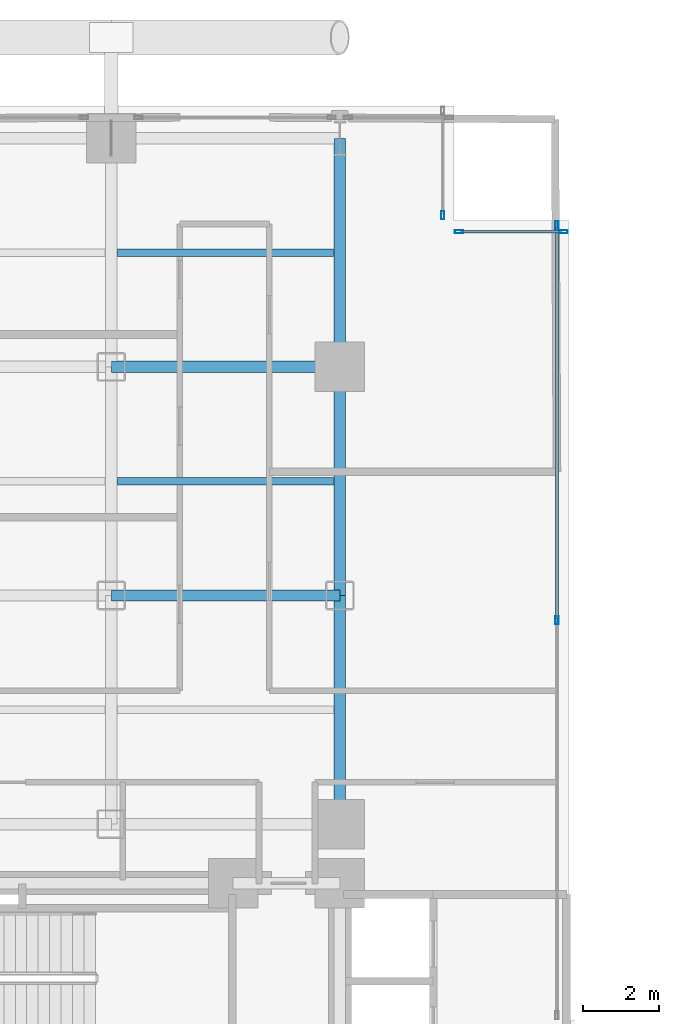
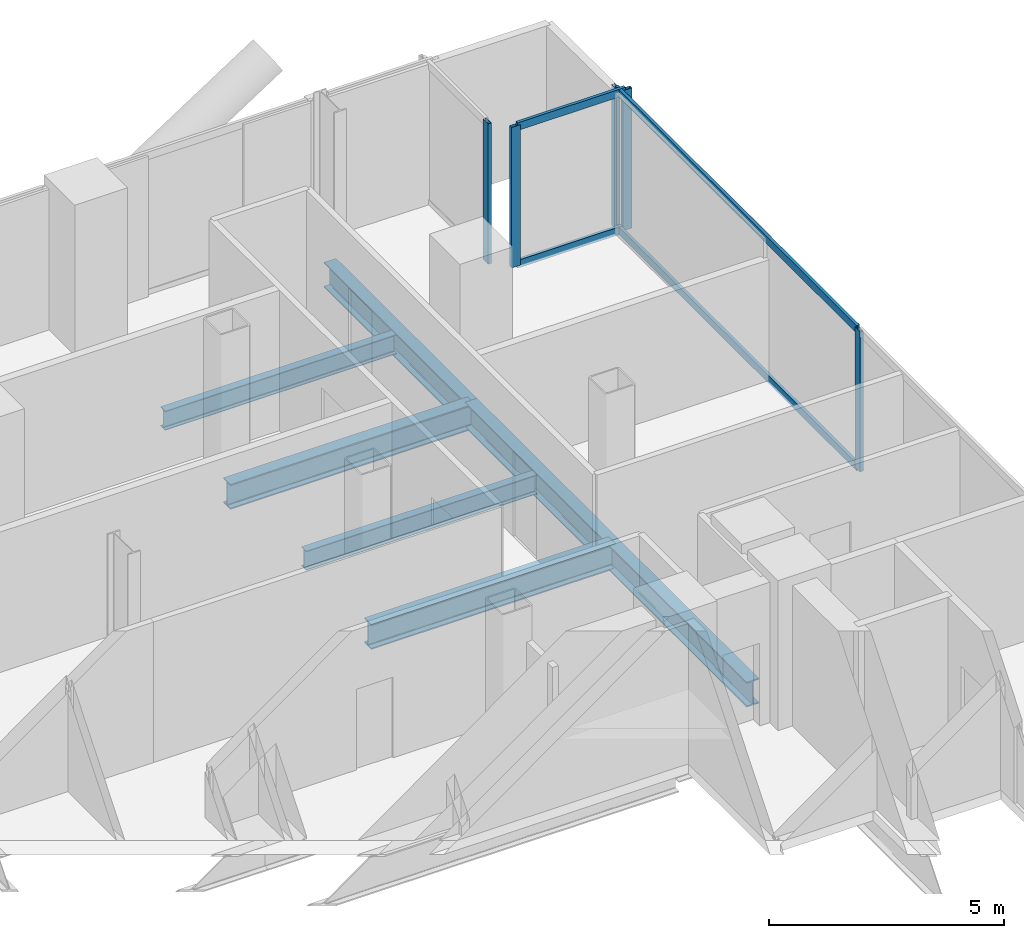
# One storey, part 15 of 27: 9 members, 7 beams, 3 elements without a shape of their own.
"""IFC4 building model written with IfcOpenShell, lengths in metres."""

from ifc_helpers import new_model, si_unit, direction, frame, origin, origin_2d, place, context, subcontext, project, spatial, hollow_rectangle, i_section, extrude, material, layer, layer_set, material_profile, profile_set, type_object, element, aggregate, save


model = new_model("IFC4")

# Units and contexts
model_context = context("Model", 3, precision=1e-05, world=origin(), true_north=direction((0.0, 1.0)))
body_context = subcontext(model_context, "Body", "Model", "MODEL_VIEW")
ifc_project = project(units=[si_unit("LENGTHUNIT", "METRE"), si_unit("AREAUNIT", "SQUARE_METRE"), si_unit("VOLUMEUNIT", "CUBIC_METRE"), si_unit("PLANEANGLEUNIT", "RADIAN"), si_unit("MASSUNIT", "GRAM", prefix="KILO"), si_unit("THERMODYNAMICTEMPERATUREUNIT", "KELVIN"), si_unit("POWERUNIT", "WATT")], contexts=[model_context])

# Site, building, storey
site_placement = place(None, origin())
site = spatial("IfcSite", under=ifc_project, at=site_placement, CompositionType="ELEMENT")
building_placement = place(site_placement, origin())
building = spatial("IfcBuilding", under=site, at=building_placement, Name="Svarakhadi Broadcast Tower", CompositionType="ELEMENT")
storey_placement = place(building_placement, frame((0.0, 0.0, 75.300048828125)))
storey = spatial("IfcBuildingStorey", under=building, at=storey_placement, Name="L17", CompositionType="ELEMENT", Elevation=75.300048828125)

# Beams
ifc_material_1 = material(Name="Steel S355J2 (IS 2062 E350C)", Category="steel")
ifc_material_profile_1 = material_profile(ifc_material_1, i_section(OverallWidth=0.199951171875, OverallDepth=0.5, WebThickness=0.01025390625, FlangeThickness=0.01611328125, FilletRadius=0.02099609375, at=origin_2d()), Name="NPB 500x200x91")
ifc_profile_set_1 = profile_set([ifc_material_profile_1], Name="Steel S355J2 (IS 2062 E350C)")
beam_type_1 = type_object("IfcBeamType", Name="Beam_NPB500", PredefinedType="BEAM", material=ifc_profile_set_1)
for number, where, z_axis, x_axis, name in (
    (1, (12.159912109375, 38.14990234375, -0.5), (1.0, 0.0, 0.0), (0.0, 1.0, 0.0), "L17 Secondary Composite Beam SB017"),
    (2, (12.159912109375, 44.14990234375, -0.5), (1.0, 0.0, 0.0), (0.0, 1.0, 0.0), "L17 Secondary Composite Beam SB018"),
):
    element("IfcBeam", number, at=place(storey_placement, frame(where, z_axis=z_axis, x_axis=x_axis)), inside=storey, type_object=beam_type_1, Name=name, PredefinedType="BEAM", context=body_context, shape_type="SweptSolid", body=[
        extrude(i_section(OverallWidth=0.199951171875, OverallDepth=0.5, WebThickness=0.01025390625, FlangeThickness=0.01611328125, FilletRadius=0.02099609375, at=origin_2d()), origin(), (0.0, 0.0, 1.0), 5.68017578125),
    ])

# Curtain wall, member
ifc_material_2 = material(Name="Anodised Bronze Aluminium AA 6063-T6", Category="aluminium")
ifc_layer = layer(ifc_material_2, 0.219970703125)
ifc_layer_set = layer_set([ifc_layer], Name="Anodised Bronze Aluminium AA 6063-T6")
curtain_wall_type = type_object("IfcCurtainWallType", Name="CW_Sys_02", PredefinedType="NOTDEFINED", material=ifc_layer_set)
curtain_wall_1_placement = place(storey_placement, origin())
curtain_wall_1 = element("IfcCurtainWall", 3, at=curtain_wall_1_placement, inside=storey, type_object=curtain_wall_type, Name="L17 Unitised Facade Curtain Wall 07", PredefinedType="NOTDEFINED")
ifc_material_profile_2 = material_profile(ifc_material_2, hollow_rectangle(XDim=0.0849609375, YDim=0.219970703125, WallThickness=0.006103515625, at=origin_2d()), Name="ALU MULLION 220x85x6")
ifc_profile_set_2 = profile_set([ifc_material_profile_2], Name="Anodised Bronze Aluminium AA 6063-T6")
member_type_1 = type_object("IfcMemberType", Name="CW_Sys_02_Mul", PredefinedType="MULLION", material=ifc_profile_set_2)
member_1_placement = place(storey_placement, frame((20.699951171875, 45.132568359375, 0.0), z_axis=(0.0, 0.0, 1.0), x_axis=(1.0, 0.0, 0.0)))
member_1 = element("IfcMember", 4, at=member_1_placement, type_object=member_type_1, Name="CW-02 mullion 2", PredefinedType="MULLION", context=body_context, shape_type="SweptSolid", body=[
    extrude(hollow_rectangle(XDim=0.0849609375, YDim=0.219970703125, WallThickness=0.006103515625, at=origin_2d()), origin(), (0.0, 0.0, 1.0), 3.64990234375),
])
aggregate(curtain_wall_1, [member_1])

# Curtain wall, members
curtain_wall_2_placement = place(storey_placement, origin())
curtain_wall_2 = element("IfcCurtainWall", 5, at=curtain_wall_2_placement, inside=storey, type_object=curtain_wall_type, Name="L17 Unitised Facade Curtain Wall 08", PredefinedType="NOTDEFINED")
member_2_placement = place(storey_placement, frame((21.132568359375, 44.699951171875, 0.0), z_axis=(0.0, 0.0, 1.0), x_axis=(0.0, 1.0, 0.0)))
member_2 = element("IfcMember", 6, at=member_2_placement, type_object=member_type_1, Name="CW-02 mullion 1", PredefinedType="MULLION", context=body_context, shape_type="SweptSolid", body=[
    extrude(hollow_rectangle(XDim=0.0849609375, YDim=0.219970703125, WallThickness=0.006103515625, at=origin_2d()), origin(), (0.0, 0.0, 1.0), 3.64990234375),
])
member_3_placement = place(storey_placement, frame((23.867431640625, 44.699951171875, 0.0), z_axis=(0.0, 0.0, 1.0), x_axis=(0.0, 1.0, 0.0)))
member_3 = element("IfcMember", 7, at=member_3_placement, type_object=member_type_1, Name="CW-02 mullion 2", PredefinedType="MULLION", context=body_context, shape_type="SweptSolid", body=[
    extrude(hollow_rectangle(XDim=0.0849609375, YDim=0.219970703125, WallThickness=0.006103515625, at=origin_2d()), origin(), (0.0, 0.0, 1.0), 3.64990234375),
])

curtain_wall_3_placement = place(storey_placement, origin())
curtain_wall_3 = element("IfcCurtainWall", 8, at=curtain_wall_3_placement, inside=storey, type_object=curtain_wall_type, Name="L17 Unitised Facade Curtain Wall 09", PredefinedType="NOTDEFINED")
member_4_placement = place(storey_placement, frame((23.699951171875, 44.867431640625, 0.0), z_axis=(0.0, 0.0, 1.0), x_axis=(1.0, 0.0, 0.0)))
member_4 = element("IfcMember", 9, at=member_4_placement, type_object=member_type_1, Name="CW-02 mullion 1", PredefinedType="MULLION", context=body_context, shape_type="SweptSolid", body=[
    extrude(hollow_rectangle(XDim=0.0849609375, YDim=0.219970703125, WallThickness=0.006103515625, at=origin_2d()), origin(), (0.0, 0.0, 1.0), 3.64990234375),
])
member_5_placement = place(storey_placement, frame((23.699951171875, 34.5, 0.0), z_axis=(0.0, 0.0, 1.0), x_axis=(1.0, 0.0, 0.0)))
member_5 = element("IfcMember", 10, at=member_5_placement, type_object=member_type_1, Name="CW-02 mullion 2", PredefinedType="MULLION", context=body_context, shape_type="SweptSolid", body=[
    extrude(hollow_rectangle(XDim=0.0849609375, YDim=0.219970703125, WallThickness=0.006103515625, at=origin_2d()), origin(), (0.0, 0.0, 1.0), 3.64990234375),
])

# Member
ifc_material_profile_3 = material_profile(ifc_material_2, hollow_rectangle(XDim=0.074951171875, YDim=0.199951171875, WallThickness=0.0048828125, at=origin_2d()), Name="ALU TRANSOM 200x75x5")
ifc_profile_set_3 = profile_set([ifc_material_profile_3], Name="Anodised Bronze Aluminium AA 6063-T6")
member_type_2 = type_object("IfcMemberType", Name="CW_Sys_02_Trn", PredefinedType="USERDEFINED", material=ifc_profile_set_3)
member_6_placement = place(storey_placement, frame((21.175048828125, 44.699951171875, 0.037353515625), z_axis=(1.0, 0.0, 0.0), x_axis=(0.0, 1.0, 0.0)))
member_6 = element("IfcMember", 11, at=member_6_placement, type_object=member_type_2, Name="CW-02 transom 1.1", ObjectType="TRANSOM", PredefinedType="USERDEFINED", context=body_context, shape_type="SweptSolid", body=[
    extrude(hollow_rectangle(XDim=0.074951171875, YDim=0.199951171875, WallThickness=0.0048828125, at=origin_2d()), origin(), (0.0, 0.0, 1.0), 2.64990234375),
])

member_7_placement = place(storey_placement, frame((21.175048828125, 44.699951171875, 3.612548828125), z_axis=(1.0, 0.0, 0.0), x_axis=(0.0, 1.0, 0.0)))
member_7 = element("IfcMember", 12, at=member_7_placement, type_object=member_type_2, Name="CW-02 transom 1.2", ObjectType="TRANSOM", PredefinedType="USERDEFINED", context=body_context, shape_type="SweptSolid", body=[
    extrude(hollow_rectangle(XDim=0.074951171875, YDim=0.199951171875, WallThickness=0.0048828125, at=origin_2d()), origin(), (0.0, 0.0, 1.0), 2.64990234375),
])

aggregate(curtain_wall_2, [member_2, member_3, member_6, member_7])

member_8_placement = place(storey_placement, frame((23.699951171875, 44.824951171875, 0.037353515625), z_axis=(0.0, -1.0, 0.0), x_axis=(1.0, 0.0, 0.0)))
member_8 = element("IfcMember", 13, at=member_8_placement, type_object=member_type_2, Name="CW-02 transom 1.1", ObjectType="TRANSOM", PredefinedType="USERDEFINED", context=body_context, shape_type="SweptSolid", body=[
    extrude(hollow_rectangle(XDim=0.074951171875, YDim=0.199951171875, WallThickness=0.0048828125, at=origin_2d()), origin(), (0.0, 0.0, 1.0), 10.282470703125),
])

member_9_placement = place(storey_placement, frame((23.699951171875, 44.824951171875, 3.612548828125), z_axis=(0.0, -1.0, 0.0), x_axis=(1.0, 0.0, 0.0)))
member_9 = element("IfcMember", 14, at=member_9_placement, type_object=member_type_2, Name="CW-02 transom 1.2", ObjectType="TRANSOM", PredefinedType="USERDEFINED", context=body_context, shape_type="SweptSolid", body=[
    extrude(hollow_rectangle(XDim=0.074951171875, YDim=0.199951171875, WallThickness=0.0048828125, at=origin_2d()), origin(), (0.0, 0.0, 1.0), 10.282470703125),
])

aggregate(curtain_wall_3, [member_4, member_5, member_8, member_9])

# Beams
ifc_material_profile_4 = material_profile(ifc_material_1, i_section(OverallWidth=0.300048828125, OverallDepth=0.64990234375, WebThickness=0.01611328125, FlangeThickness=0.031005859375, FilletRadius=0.027099609375, at=origin_2d()), Name="WPB 650x300x225")
ifc_profile_set_4 = profile_set([ifc_material_profile_4], Name="Steel S355J2 (IS 2062 E350C)")
beam_type_2 = type_object("IfcBeamType", Name="Girder_WPB650", PredefinedType="USERDEFINED", material=ifc_profile_set_4)
for number, where, z_axis, x_axis, name in (
    (15, (12.0, 35.14990234375, -0.574951171875), (1.0, 0.0, 0.0), (0.0, 1.0, 0.0), "L17 Primary E-W Girder G039"),
    (16, (12.0, 41.14990234375, -0.574951171875), (1.0, 0.0, 0.0), (0.0, 1.0, 0.0), "L17 Primary E-W Girder G042"),
    (17, (18.0, 29.14990234375, -0.574951171875), (0.0, 1.0, 0.0), (-1.0, 0.0, 0.0), "L17 Primary N-S Girder G068"),
    (18, (18.0, 35.14990234375, -0.574951171875), (0.0, 1.0, 0.0), (-1.0, 0.0, 0.0), "L17 Primary N-S Girder G069"),
    (19, (18.0, 41.14990234375, -0.574951171875), (0.0, 1.0, 0.0), (-1.0, 0.0, 0.0), "L17 Primary N-S Girder G070"),
):
    element("IfcBeam", number, at=place(storey_placement, frame(where, z_axis=z_axis, x_axis=x_axis)), inside=storey, type_object=beam_type_2, Name=name, ObjectType="GIRDER", PredefinedType="USERDEFINED", context=body_context, shape_type="SweptSolid", body=[
        extrude(i_section(OverallWidth=0.300048828125, OverallDepth=0.64990234375, WebThickness=0.01611328125, FlangeThickness=0.031005859375, FilletRadius=0.027099609375, at=origin_2d()), origin(), (0.0, 0.0, 1.0), 6.0),
    ])

save(model, "model.ifc")
